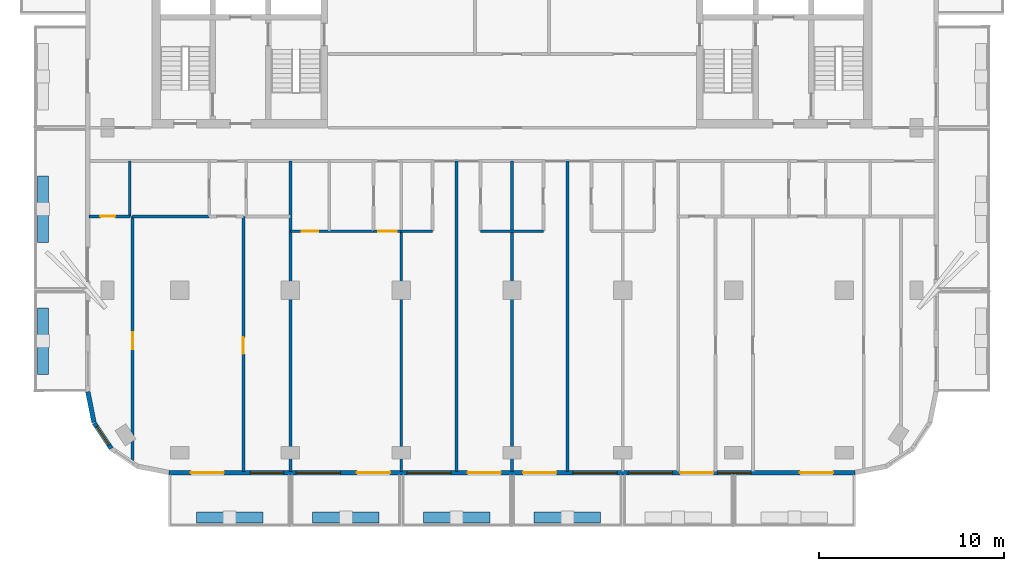
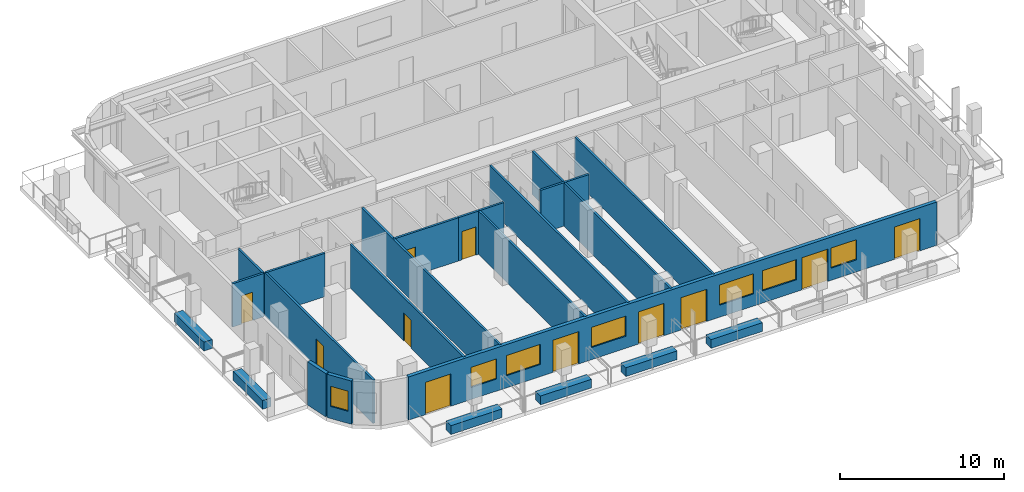
# One storey, part 2 of 11: 23 walls, 11 doors, 7 windows, 18 openings.
"""IFC4 building model written with IfcOpenShell, lengths in metres."""

from ifc_helpers import new_model, si_unit, direction, frame, frame_2d, origin, place, context, subcontext, project, spatial, rectangle, extrude, material, layer, layer_set, type_object, element, fill, save


model = new_model("IFC4")

# Units and contexts
model_context = context("Model", 3, precision=1e-05, world=origin(), true_north=direction((0.0, 1.0)))
body_context = subcontext(model_context, "Body", "Model", "MODEL_VIEW")
ifc_project = project(units=[si_unit("LENGTHUNIT", "METRE"), si_unit("AREAUNIT", "SQUARE_METRE"), si_unit("VOLUMEUNIT", "CUBIC_METRE"), si_unit("PLANEANGLEUNIT", "RADIAN"), si_unit("MASSUNIT", "GRAM", prefix="KILO")], contexts=[model_context])

# Site, building, storey
site_placement = place(None, origin())
site = spatial("IfcSite", under=ifc_project, at=site_placement, CompositionType="ELEMENT")
building_placement = place(site_placement, origin())
building = spatial("IfcBuilding", under=site, at=building_placement, Name="Torana Hotel and Residences", CompositionType="ELEMENT")
storey_placement = place(building_placement, frame((0.0, 0.0, 252.60009765625)))
storey = spatial("IfcBuildingStorey", under=building, at=storey_placement, Name="L66", CompositionType="ELEMENT", Elevation=252.60009765625)

# Wall
ifc_material_1 = material(Name="Black aluminium composite panel", Category="aluminium")
ifc_layer_1 = layer(ifc_material_1, 0.00390625, Name="Cladding", Category="cladding")
ifc_material_2 = material(Name="Ventilated air cavity")
ifc_layer_2 = layer(ifc_material_2, 0.0400390625, Name="Ventilated cavity", Category="cavity")
ifc_material_3 = material(Name="Mineral wool insulation")
ifc_layer_3 = layer(ifc_material_3, 0.090087890625, Name="Insulation", Category="insulation")
ifc_material_4 = material(Name="Steel S280GD", Category="steel")
ifc_layer_4 = layer(ifc_material_4, 0.092041015625, Name="Steel stud frame", Category="structure")
ifc_material_5 = material(Name="Fire rated plasterboard")
ifc_layer_5 = layer(ifc_material_5, 0.011962890625, Name="Inner board", Category="finish")
ifc_layer_6 = layer(ifc_material_5, 0.011962890625, Name="Second board", Category="finish")
ifc_layer_set_1 = layer_set([ifc_layer_1, ifc_layer_2, ifc_layer_3, ifc_layer_4, ifc_layer_5, ifc_layer_6], Name="EW1 EXTERNAL WALL BLACK METAL CLAD 250")
wall_type_1 = type_object("IfcWallType", Name="EW1 EXTERNAL WALL BLACK METAL CLAD 250", PredefinedType="SOLIDWALL", material=ifc_layer_set_1)
wall_1_placement = place(storey_placement, frame((-22.97265625, -29.2998046875, 0.0), z_axis=(0.0, 0.0, 1.0), x_axis=(0.19513878023, -0.980775640221, 0.0)))
element("IfcWall", 1, at=wall_1_placement, inside=storey, type_object=wall_type_1, Name="External wall L66 e0.10", PredefinedType="SOLIDWALL", context=body_context, shape_type="SweptSolid", body=[
    extrude(rectangle(XDim=1.681396484375, YDim=0.25, at=frame_2d((0.8408203125, 0.0))), origin(), (0.0, 0.0, 1.0), 3.219970703125),
])

# Wall, opening, window
wall_2_placement = place(storey_placement, frame((-22.6259765625, -30.993896484375, 0.0), z_axis=(0.0, 0.0, 1.0), x_axis=(0.55555029066, -0.831482937015, 0.0)))
wall_2 = element("IfcWall", 2, at=wall_2_placement, inside=storey, type_object=wall_type_1, Name="External wall L66 e0.11", PredefinedType="SOLIDWALL", context=body_context, shape_type="SweptSolid", body=[
    extrude(rectangle(XDim=1.65625, YDim=0.25, at=frame_2d((0.828125, 0.0))), origin(), (0.0, 0.0, 1.0), 3.219970703125),
])
opening_1_placement = place(wall_2_placement, frame((0.228271484375, 0.0, 0.89990234375)))
opening_1 = element("IfcOpeningElement", 3, at=opening_1_placement, cuts=wall_2, Name="Opening W5", PredefinedType="OPENING", context=body_context, shape_type="SweptSolid", body=[
    extrude(rectangle(XDim=1.199951171875, YDim=1.5, at=frame_2d((0.60009765625, 0.75))), frame((0.0, 0.135009765625, 0.0), z_axis=(0.0, -1.0, 0.0), x_axis=(1.0, 0.0, 0.0)), (0.0, 0.0, 1.0), 0.27001953125),
])
ifc_material_6 = material(Name="Dark glass in black aluminium frame", Category="aluminium")
window_type_1 = type_object("IfcWindowType", Name="W5 CORNER FACET WINDOW 1200x1500", PartitioningType="SINGLE_PANEL", PredefinedType="WINDOW", material=ifc_material_6)
window_1_placement = place(opening_1_placement, origin())
window_1 = element("IfcWindow", 4, at=window_1_placement, inside=storey, type_object=window_type_1, Name="Window L66 e0.11", OverallHeight=1.5, OverallWidth=1.199951171875, PartitioningType="SINGLE_PANEL", PredefinedType="WINDOW", context=body_context, shape_type="SweptSolid", body=[
    extrude(rectangle(XDim=1.199951171875, YDim=1.5, at=frame_2d((0.60009765625, 0.75))), frame((0.0, 0.030029296875, 0.0), z_axis=(0.0, -1.0, 0.0), x_axis=(1.0, 0.0, 0.0)), (0.0, 0.0, 1.0), 0.06005859375),
])
fill(opening_1, window_1)

# Wall, openings, doors, windows
wall_3_placement = place(storey_placement, frame((-18.575439453125, -33.675048828125, 0.0), z_axis=(0.0, 0.0, 1.0), x_axis=(1.0, 0.0, 0.0)))
wall_3 = element("IfcWall", 5, at=wall_3_placement, inside=storey, type_object=wall_type_1, Name="External wall L66 e0.14", PredefinedType="SOLIDWALL", context=body_context, shape_type="SweptSolid", body=[
    extrude(rectangle(XDim=37.15087890625, YDim=0.25, at=frame_2d((18.575439453125, 0.0))), origin(), (0.0, 0.0, 1.0), 3.219970703125),
])
opening_2_placement = place(wall_3_placement, frame((1.17529296875, 0.0, 0.0)))
opening_2 = element("IfcOpeningElement", 6, at=opening_2_placement, cuts=wall_3, Name="Opening L66-E01", PredefinedType="OPENING", context=body_context, shape_type="SweptSolid", body=[
    extrude(rectangle(XDim=1.800048828125, YDim=2.39990234375, at=frame_2d((0.89990234375, 1.199951171875))), frame((0.0, 0.135009765625, 0.0), z_axis=(0.0, -1.0, 0.0), x_axis=(1.0, 0.0, 0.0)), (0.0, 0.0, 1.0), 0.27001953125),
])
opening_3_placement = place(wall_3_placement, frame((4.400390625, 0.0, 0.89990234375)))
opening_3 = element("IfcOpeningElement", 7, at=opening_3_placement, cuts=wall_3, Name="Opening W4", PredefinedType="OPENING", context=body_context, shape_type="SweptSolid", body=[
    extrude(rectangle(XDim=1.800048828125, YDim=1.5, at=frame_2d((0.89990234375, 0.75))), frame((0.0, 0.135009765625, 0.0), z_axis=(0.0, -1.0, 0.0), x_axis=(1.0, 0.0, 0.0)), (0.0, 0.0, 1.0), 0.27001953125),
])
opening_4_placement = place(wall_3_placement, frame((6.87548828125, 0.0, 0.89990234375)))
opening_4 = element("IfcOpeningElement", 8, at=opening_4_placement, cuts=wall_3, Name="Opening W3", PredefinedType="OPENING", context=body_context, shape_type="SweptSolid", body=[
    extrude(rectangle(XDim=2.39990234375, YDim=1.5, at=frame_2d((1.199951171875, 0.75))), frame((0.0, 0.135009765625, 0.0), z_axis=(0.0, -1.0, 0.0), x_axis=(1.0, 0.0, 0.0)), (0.0, 0.0, 1.0), 0.27001953125),
])
opening_5_placement = place(wall_3_placement, frame((10.17529296875, 0.0, 0.0)))
opening_5 = element("IfcOpeningElement", 9, at=opening_5_placement, cuts=wall_3, Name="Opening L66-E02", PredefinedType="OPENING", context=body_context, shape_type="SweptSolid", body=[
    extrude(rectangle(XDim=1.800048828125, YDim=2.39990234375, at=frame_2d((0.89990234375, 1.199951171875))), frame((0.0, 0.135009765625, 0.0), z_axis=(0.0, -1.0, 0.0), x_axis=(1.0, 0.0, 0.0)), (0.0, 0.0, 1.0), 0.27001953125),
])
opening_6_placement = place(wall_3_placement, frame((12.87548828125, 0.0, 0.89990234375)))
opening_6 = element("IfcOpeningElement", 10, at=opening_6_placement, cuts=wall_3, Name="Opening W3", PredefinedType="OPENING", context=body_context, shape_type="SweptSolid", body=[
    extrude(rectangle(XDim=2.39990234375, YDim=1.5, at=frame_2d((1.199951171875, 0.75))), frame((0.0, 0.135009765625, 0.0), z_axis=(0.0, -1.0, 0.0), x_axis=(1.0, 0.0, 0.0)), (0.0, 0.0, 1.0), 0.27001953125),
])
opening_7_placement = place(wall_3_placement, frame((16.17529296875, 0.0, 0.0)))
opening_7 = element("IfcOpeningElement", 11, at=opening_7_placement, cuts=wall_3, Name="Opening L66-E03", PredefinedType="OPENING", context=body_context, shape_type="SweptSolid", body=[
    extrude(rectangle(XDim=1.800048828125, YDim=2.39990234375, at=frame_2d((0.89990234375, 1.199951171875))), frame((0.0, 0.135009765625, 0.0), z_axis=(0.0, -1.0, 0.0), x_axis=(1.0, 0.0, 0.0)), (0.0, 0.0, 1.0), 0.27001953125),
])
opening_8_placement = place(wall_3_placement, frame((19.17529296875, 0.0, 0.0)))
opening_8 = element("IfcOpeningElement", 12, at=opening_8_placement, cuts=wall_3, Name="Opening L66-E04", PredefinedType="OPENING", context=body_context, shape_type="SweptSolid", body=[
    extrude(rectangle(XDim=1.800048828125, YDim=2.39990234375, at=frame_2d((0.89990234375, 1.199951171875))), frame((0.0, 0.135009765625, 0.0), z_axis=(0.0, -1.0, 0.0), x_axis=(1.0, 0.0, 0.0)), (0.0, 0.0, 1.0), 0.27001953125),
])
opening_9_placement = place(wall_3_placement, frame((21.87548828125, 0.0, 0.89990234375)))
opening_9 = element("IfcOpeningElement", 13, at=opening_9_placement, cuts=wall_3, Name="Opening W3", PredefinedType="OPENING", context=body_context, shape_type="SweptSolid", body=[
    extrude(rectangle(XDim=2.39990234375, YDim=1.5, at=frame_2d((1.199951171875, 0.75))), frame((0.0, 0.135009765625, 0.0), z_axis=(0.0, -1.0, 0.0), x_axis=(1.0, 0.0, 0.0)), (0.0, 0.0, 1.0), 0.27001953125),
])
opening_10_placement = place(wall_3_placement, frame((24.87548828125, 0.0, 0.89990234375)))
opening_10 = element("IfcOpeningElement", 14, at=opening_10_placement, cuts=wall_3, Name="Opening W3", PredefinedType="OPENING", context=body_context, shape_type="SweptSolid", body=[
    extrude(rectangle(XDim=2.39990234375, YDim=1.5, at=frame_2d((1.199951171875, 0.75))), frame((0.0, 0.135009765625, 0.0), z_axis=(0.0, -1.0, 0.0), x_axis=(1.0, 0.0, 0.0)), (0.0, 0.0, 1.0), 0.27001953125),
])
opening_11_placement = place(wall_3_placement, frame((27.6875, 0.0, 0.0)))
opening_11 = element("IfcOpeningElement", 15, at=opening_11_placement, cuts=wall_3, Name="Opening L66-E05", PredefinedType="OPENING", context=body_context, shape_type="SweptSolid", body=[
    extrude(rectangle(XDim=1.800048828125, YDim=2.39990234375, at=frame_2d((0.89990234375, 1.199951171875))), frame((0.0, 0.135009765625, 0.0), z_axis=(0.0, -1.0, 0.0), x_axis=(1.0, 0.0, 0.0)), (0.0, 0.0, 1.0), 0.27001953125),
])
opening_12_placement = place(wall_3_placement, frame((29.71337890625, 0.0, 0.89990234375)))
opening_12 = element("IfcOpeningElement", 16, at=opening_12_placement, cuts=wall_3, Name="Opening W4", PredefinedType="OPENING", context=body_context, shape_type="SweptSolid", body=[
    extrude(rectangle(XDim=1.800048828125, YDim=1.5, at=frame_2d((0.89990234375, 0.75))), frame((0.0, 0.135009765625, 0.0), z_axis=(0.0, -1.0, 0.0), x_axis=(1.0, 0.0, 0.0)), (0.0, 0.0, 1.0), 0.27001953125),
])
opening_13_placement = place(wall_3_placement, frame((34.17529296875, 0.0, 0.0)))
opening_13 = element("IfcOpeningElement", 17, at=opening_13_placement, cuts=wall_3, Name="Opening L66-E06", PredefinedType="OPENING", context=body_context, shape_type="SweptSolid", body=[
    extrude(rectangle(XDim=1.800048828125, YDim=2.39990234375, at=frame_2d((0.89990234375, 1.199951171875))), frame((0.0, 0.135009765625, 0.0), z_axis=(0.0, -1.0, 0.0), x_axis=(1.0, 0.0, 0.0)), (0.0, 0.0, 1.0), 0.27001953125),
])
ifc_material_7 = material(Name="Dark glass in black aluminium frame", Category="aluminium")
door_type_1 = type_object("IfcDoorType", Name="DB1 BALCONY DOOR 1800x2400", OperationType="DOUBLE_DOOR_SINGLE_SWING", PredefinedType="DOOR", material=ifc_material_7)
door_1_placement = place(opening_2_placement, origin())
door_1 = element("IfcDoor", 18, at=door_1_placement, inside=storey, type_object=door_type_1, Name="Balcony door L66", OperationType="DOUBLE_DOOR_SINGLE_SWING", OverallHeight=2.39990234375, OverallWidth=1.800048828125, PredefinedType="DOOR", context=body_context, shape_type="SweptSolid", body=[
    extrude(rectangle(XDim=1.800048828125, YDim=2.39990234375, at=frame_2d((0.89990234375, 1.199951171875))), frame((0.0, 0.02490234375, 0.0), z_axis=(0.0, -1.0, 0.0), x_axis=(1.0, 0.0, 0.0)), (0.0, 0.0, 1.0), 0.050048828125),
])
fill(opening_2, door_1)
door_2_placement = place(opening_5_placement, origin())
door_2 = element("IfcDoor", 19, at=door_2_placement, inside=storey, type_object=door_type_1, Name="Balcony door L66", OperationType="DOUBLE_DOOR_SINGLE_SWING", OverallHeight=2.39990234375, OverallWidth=1.800048828125, PredefinedType="DOOR", context=body_context, shape_type="SweptSolid", body=[
    extrude(rectangle(XDim=1.800048828125, YDim=2.39990234375, at=frame_2d((0.89990234375, 1.199951171875))), frame((0.0, 0.02490234375, 0.0), z_axis=(0.0, -1.0, 0.0), x_axis=(1.0, 0.0, 0.0)), (0.0, 0.0, 1.0), 0.050048828125),
])
fill(opening_5, door_2)
door_3_placement = place(opening_7_placement, origin())
door_3 = element("IfcDoor", 20, at=door_3_placement, inside=storey, type_object=door_type_1, Name="Balcony door L66", OperationType="DOUBLE_DOOR_SINGLE_SWING", OverallHeight=2.39990234375, OverallWidth=1.800048828125, PredefinedType="DOOR", context=body_context, shape_type="SweptSolid", body=[
    extrude(rectangle(XDim=1.800048828125, YDim=2.39990234375, at=frame_2d((0.89990234375, 1.199951171875))), frame((0.0, 0.02490234375, 0.0), z_axis=(0.0, -1.0, 0.0), x_axis=(1.0, 0.0, 0.0)), (0.0, 0.0, 1.0), 0.050048828125),
])
fill(opening_7, door_3)
door_4_placement = place(opening_8_placement, origin())
door_4 = element("IfcDoor", 21, at=door_4_placement, inside=storey, type_object=door_type_1, Name="Balcony door L66", OperationType="DOUBLE_DOOR_SINGLE_SWING", OverallHeight=2.39990234375, OverallWidth=1.800048828125, PredefinedType="DOOR", context=body_context, shape_type="SweptSolid", body=[
    extrude(rectangle(XDim=1.800048828125, YDim=2.39990234375, at=frame_2d((0.89990234375, 1.199951171875))), frame((0.0, 0.02490234375, 0.0), z_axis=(0.0, -1.0, 0.0), x_axis=(1.0, 0.0, 0.0)), (0.0, 0.0, 1.0), 0.050048828125),
])
fill(opening_8, door_4)
door_5_placement = place(opening_11_placement, origin())
door_5 = element("IfcDoor", 22, at=door_5_placement, inside=storey, type_object=door_type_1, Name="Balcony door L66", OperationType="DOUBLE_DOOR_SINGLE_SWING", OverallHeight=2.39990234375, OverallWidth=1.800048828125, PredefinedType="DOOR", context=body_context, shape_type="SweptSolid", body=[
    extrude(rectangle(XDim=1.800048828125, YDim=2.39990234375, at=frame_2d((0.89990234375, 1.199951171875))), frame((0.0, 0.02490234375, 0.0), z_axis=(0.0, -1.0, 0.0), x_axis=(1.0, 0.0, 0.0)), (0.0, 0.0, 1.0), 0.050048828125),
])
fill(opening_11, door_5)
door_6_placement = place(opening_13_placement, origin())
door_6 = element("IfcDoor", 23, at=door_6_placement, inside=storey, type_object=door_type_1, Name="Balcony door L66", OperationType="DOUBLE_DOOR_SINGLE_SWING", OverallHeight=2.39990234375, OverallWidth=1.800048828125, PredefinedType="DOOR", context=body_context, shape_type="SweptSolid", body=[
    extrude(rectangle(XDim=1.800048828125, YDim=2.39990234375, at=frame_2d((0.89990234375, 1.199951171875))), frame((0.0, 0.02490234375, 0.0), z_axis=(0.0, -1.0, 0.0), x_axis=(1.0, 0.0, 0.0)), (0.0, 0.0, 1.0), 0.050048828125),
])
fill(opening_13, door_6)
ifc_material_8 = material(Name="Dark glass in black aluminium frame", Category="aluminium")
window_type_2 = type_object("IfcWindowType", Name="W3 RESIDENCE WINDOW 2400x1500", PartitioningType="SINGLE_PANEL", PredefinedType="WINDOW", material=ifc_material_8)
window_2_placement = place(opening_4_placement, origin())
window_2 = element("IfcWindow", 24, at=window_2_placement, inside=storey, type_object=window_type_2, Name="Window L66", OverallHeight=1.5, OverallWidth=2.39990234375, PartitioningType="SINGLE_PANEL", PredefinedType="WINDOW", context=body_context, shape_type="SweptSolid", body=[
    extrude(rectangle(XDim=2.39990234375, YDim=1.5, at=frame_2d((1.199951171875, 0.75))), frame((0.0, 0.030029296875, 0.0), z_axis=(0.0, -1.0, 0.0), x_axis=(1.0, 0.0, 0.0)), (0.0, 0.0, 1.0), 0.06005859375),
])
fill(opening_4, window_2)
window_3_placement = place(opening_6_placement, origin())
window_3 = element("IfcWindow", 25, at=window_3_placement, inside=storey, type_object=window_type_2, Name="Window L66", OverallHeight=1.5, OverallWidth=2.39990234375, PartitioningType="SINGLE_PANEL", PredefinedType="WINDOW", context=body_context, shape_type="SweptSolid", body=[
    extrude(rectangle(XDim=2.39990234375, YDim=1.5, at=frame_2d((1.199951171875, 0.75))), frame((0.0, 0.030029296875, 0.0), z_axis=(0.0, -1.0, 0.0), x_axis=(1.0, 0.0, 0.0)), (0.0, 0.0, 1.0), 0.06005859375),
])
fill(opening_6, window_3)
window_4_placement = place(opening_9_placement, origin())
window_4 = element("IfcWindow", 26, at=window_4_placement, inside=storey, type_object=window_type_2, Name="Window L66", OverallHeight=1.5, OverallWidth=2.39990234375, PartitioningType="SINGLE_PANEL", PredefinedType="WINDOW", context=body_context, shape_type="SweptSolid", body=[
    extrude(rectangle(XDim=2.39990234375, YDim=1.5, at=frame_2d((1.199951171875, 0.75))), frame((0.0, 0.030029296875, 0.0), z_axis=(0.0, -1.0, 0.0), x_axis=(1.0, 0.0, 0.0)), (0.0, 0.0, 1.0), 0.06005859375),
])
fill(opening_9, window_4)
window_5_placement = place(opening_10_placement, origin())
window_5 = element("IfcWindow", 27, at=window_5_placement, inside=storey, type_object=window_type_2, Name="Window L66", OverallHeight=1.5, OverallWidth=2.39990234375, PartitioningType="SINGLE_PANEL", PredefinedType="WINDOW", context=body_context, shape_type="SweptSolid", body=[
    extrude(rectangle(XDim=2.39990234375, YDim=1.5, at=frame_2d((1.199951171875, 0.75))), frame((0.0, 0.030029296875, 0.0), z_axis=(0.0, -1.0, 0.0), x_axis=(1.0, 0.0, 0.0)), (0.0, 0.0, 1.0), 0.06005859375),
])
fill(opening_10, window_5)
ifc_material_9 = material(Name="Dark glass in black aluminium frame", Category="aluminium")
window_type_3 = type_object("IfcWindowType", Name="W4 RESIDENCE WINDOW NARROW 1800x1500", PartitioningType="SINGLE_PANEL", PredefinedType="WINDOW", material=ifc_material_9)
window_6_placement = place(opening_3_placement, origin())
window_6 = element("IfcWindow", 28, at=window_6_placement, inside=storey, type_object=window_type_3, Name="Window L66", OverallHeight=1.5, OverallWidth=1.800048828125, PartitioningType="SINGLE_PANEL", PredefinedType="WINDOW", context=body_context, shape_type="SweptSolid", body=[
    extrude(rectangle(XDim=1.800048828125, YDim=1.5, at=frame_2d((0.89990234375, 0.75))), frame((0.0, 0.030029296875, 0.0), z_axis=(0.0, -1.0, 0.0), x_axis=(1.0, 0.0, 0.0)), (0.0, 0.0, 1.0), 0.06005859375),
])
fill(opening_3, window_6)
window_7_placement = place(opening_12_placement, origin())
window_7 = element("IfcWindow", 29, at=window_7_placement, inside=storey, type_object=window_type_3, Name="Window L66", OverallHeight=1.5, OverallWidth=1.800048828125, PartitioningType="SINGLE_PANEL", PredefinedType="WINDOW", context=body_context, shape_type="SweptSolid", body=[
    extrude(rectangle(XDim=1.800048828125, YDim=1.5, at=frame_2d((0.89990234375, 0.75))), frame((0.0, 0.030029296875, 0.0), z_axis=(0.0, -1.0, 0.0), x_axis=(1.0, 0.0, 0.0)), (0.0, 0.0, 1.0), 0.06005859375),
])
fill(opening_12, window_7)

# Wall, opening, door
ifc_material_10 = material(Name="Gypsum plaster")
ifc_layer_7 = layer(ifc_material_10, 0.014892578125, Name="Plaster", Category="finish")
ifc_material_11 = material(Name="Concrete blockwork", Category="masonry")
ifc_layer_8 = layer(ifc_material_11, 0.1201171875, Name="Blockwork", Category="structure")
ifc_layer_9 = layer(ifc_material_10, 0.014892578125, Name="Plaster", Category="finish")
ifc_layer_set_2 = layer_set([ifc_layer_7, ifc_layer_8, ifc_layer_9], Name="FIRE PARTITION 150 BLOCKWORK")
wall_type_2 = type_object("IfcWallType", Name="FIRE PARTITION 150 BLOCKWORK", PredefinedType="PARTITIONING", material=ifc_layer_set_2)
wall_4_placement = place(storey_placement, frame((-7.5, -20.60009765625, 0.0), z_axis=(0.0, 0.0, 1.0), x_axis=(1.0, 0.0, 0.0)))
wall_4 = element("IfcWall", 30, at=wall_4_placement, inside=storey, type_object=wall_type_2, Name="Partition L66", PredefinedType="PARTITIONING", context=body_context, shape_type="SweptSolid", body=[
    extrude(rectangle(XDim=1.5, YDim=0.14990234375, at=frame_2d((0.75, 0.0))), origin(), (0.0, 0.0, 1.0), 3.219970703125),
])
opening_14_placement = place(wall_4_placement, frame((0.25, 0.0, 0.0)))
opening_14 = element("IfcOpeningElement", 31, at=opening_14_placement, cuts=wall_4, Name="Opening L66-41", PredefinedType="OPENING", context=body_context, shape_type="SweptSolid", body=[
    extrude(rectangle(XDim=1.0, YDim=2.10009765625, at=frame_2d((0.5, 1.050048828125))), frame((0.0, 0.0849609375, 0.0), z_axis=(0.0, -1.0, 0.0), x_axis=(1.0, 0.0, 0.0)), (0.0, 0.0, 1.0), 0.169921875),
])
ifc_material_12 = material(Name="Steel S235", Category="steel")
door_type_2 = type_object("IfcDoorType", Name="ENTRY FIRE DOOR D6 1000x2100", OperationType="SINGLE_SWING_LEFT", PredefinedType="DOOR", material=ifc_material_12)
door_7_placement = place(opening_14_placement, frame((0.5, 0.0, 0.0), z_axis=(0.0, 0.0, 1.0), x_axis=(-1.0, 0.0, 0.0)))
door_7 = element("IfcDoor", 32, at=door_7_placement, inside=storey, type_object=door_type_2, Name="Door L66", OperationType="SINGLE_SWING_RIGHT", OverallHeight=2.10009765625, OverallWidth=1.0, PredefinedType="DOOR", context=body_context, shape_type="SweptSolid", body=[
    extrude(rectangle(XDim=1.0, YDim=2.10009765625, at=frame_2d((0.0, 1.050048828125))), frame((0.0, -0.02490234375, 0.0), z_axis=(0.0, 1.0, 0.0), x_axis=(-1.0, 0.0, 0.0)), (0.0, 0.0, 1.0), 0.050048828125),
])
fill(opening_14, door_7)

# Walls
ifc_material_13 = material(Name="Gypsum plasterboard")
ifc_layer_10 = layer(ifc_material_13, 0.012451171875, Name="Plasterboard", Category="finish")
ifc_layer_11 = layer(ifc_material_13, 0.012451171875, Name="Plasterboard", Category="finish")
ifc_layer_12 = layer(ifc_material_4, 0.10009765625, Name="Steel studs with mineral wool", Category="insulation")
ifc_layer_13 = layer(ifc_material_13, 0.012451171875, Name="Plasterboard", Category="finish")
ifc_layer_14 = layer(ifc_material_13, 0.012451171875, Name="Plasterboard", Category="finish")
ifc_layer_set_3 = layer_set([ifc_layer_10, ifc_layer_11, ifc_layer_12, ifc_layer_13, ifc_layer_14], Name="PARTITION 150 PLASTERBOARD")
wall_type_3 = type_object("IfcWallType", Name="PARTITION 150 PLASTERBOARD", PredefinedType="PARTITIONING", material=ifc_layer_set_3)
for number, where, z_axis, x_axis, name in (
    (33, (3.0, -33.6201171875, 0.0), (0.0, 0.0, 1.0), (0.0, 1.0, 0.0), "Partition L66"),
    (34, (0.0, -33.6201171875, 0.0), (0.0, 0.0, 1.0), (0.0, 1.0, 0.0), "Partition L66"),
    (35, (-3.0, -33.6201171875, 0.0), (0.0, 0.0, 1.0), (0.0, 1.0, 0.0), "Partition L66"),
):
    element("IfcWall", number, at=place(storey_placement, frame(where, z_axis=z_axis, x_axis=x_axis)), inside=storey, type_object=wall_type_3, Name=name, PredefinedType="PARTITIONING", context=body_context, shape_type="SweptSolid", body=[
        extrude(rectangle(XDim=16.820068359375, YDim=0.14990234375, at=frame_2d((8.41015625, 0.0))), origin(), (0.0, 0.0, 1.0), 3.219970703125),
    ])
wall_5_placement = place(storey_placement, frame((-6.0, -33.6201171875, 0.0), z_axis=(0.0, 0.0, 1.0), x_axis=(0.0, 1.0, 0.0)))
element("IfcWall", 36, at=wall_5_placement, inside=storey, type_object=wall_type_3, Name="Partition L66", PredefinedType="PARTITIONING", context=body_context, shape_type="SweptSolid", body=[
    extrude(rectangle(XDim=13.02001953125, YDim=0.14990234375, at=frame_2d((6.510009765625, 0.0))), origin(), (0.0, 0.0, 1.0), 3.219970703125),
])
wall_6_placement = place(storey_placement, frame((-12.0, -33.6201171875, 0.0), z_axis=(0.0, 0.0, 1.0), x_axis=(0.0, 1.0, 0.0)))
element("IfcWall", 37, at=wall_6_placement, inside=storey, type_object=wall_type_3, Name="Partition L66", PredefinedType="PARTITIONING", context=body_context, shape_type="SweptSolid", body=[
    extrude(rectangle(XDim=16.820068359375, YDim=0.14990234375, at=frame_2d((8.41015625, 0.0))), origin(), (0.0, 0.0, 1.0), 3.219970703125),
])

# Wall, opening, door
wall_7_placement = place(storey_placement, frame((-14.550048828125, -33.6201171875, 0.0), z_axis=(0.0, 0.0, 1.0), x_axis=(0.0, 1.0, 0.0)))
wall_7 = element("IfcWall", 38, at=wall_7_placement, inside=storey, type_object=wall_type_3, Name="Partition L66", PredefinedType="PARTITIONING", context=body_context, shape_type="SweptSolid", body=[
    extrude(rectangle(XDim=13.820068359375, YDim=0.14990234375, at=frame_2d((6.91015625, 0.0))), origin(), (0.0, 0.0, 1.0), 3.219970703125),
])
opening_15_placement = place(wall_7_placement, frame((6.3701171875, 0.0, 0.0)))
opening_15 = element("IfcOpeningElement", 39, at=opening_15_placement, cuts=wall_7, Name="Opening L66-51", PredefinedType="OPENING", context=body_context, shape_type="SweptSolid", body=[
    extrude(rectangle(XDim=0.89990234375, YDim=2.10009765625, at=frame_2d((0.449951171875, 1.050048828125))), frame((0.0, 0.0849609375, 0.0), z_axis=(0.0, -1.0, 0.0), x_axis=(1.0, 0.0, 0.0)), (0.0, 0.0, 1.0), 0.169921875),
])
ifc_material_14 = material(Name="Timber door, oiled ash", Category="wood")
door_type_3 = type_object("IfcDoorType", Name="ROOM DOOR D7 900x2100", OperationType="SINGLE_SWING_LEFT", PredefinedType="DOOR", material=ifc_material_14)
door_8_placement = place(opening_15_placement, origin())
door_8 = element("IfcDoor", 40, at=door_8_placement, inside=storey, type_object=door_type_3, Name="Door L66", OperationType="SINGLE_SWING_RIGHT", OverallHeight=2.10009765625, OverallWidth=0.89990234375, PredefinedType="DOOR", context=body_context, shape_type="SweptSolid", body=[
    extrude(rectangle(XDim=0.89990234375, YDim=2.10009765625, at=frame_2d((0.449951171875, 1.050048828125))), frame((0.0, 0.02490234375, 0.0), z_axis=(0.0, -1.0, 0.0), x_axis=(1.0, 0.0, 0.0)), (0.0, 0.0, 1.0), 0.050048828125),
])
fill(opening_15, door_8)

wall_8_placement = place(storey_placement, frame((-20.550048828125, -33.0166015625, 0.0), z_axis=(0.0, 0.0, 1.0), x_axis=(0.0, 1.0, 0.0)))
wall_8 = element("IfcWall", 41, at=wall_8_placement, inside=storey, type_object=wall_type_3, Name="Partition L66", PredefinedType="PARTITIONING", context=body_context, shape_type="SweptSolid", body=[
    extrude(rectangle(XDim=13.216552734375, YDim=0.14990234375, at=frame_2d((6.6083984375, 0.0))), origin(), (0.0, 0.0, 1.0), 3.219970703125),
])
opening_16_placement = place(wall_8_placement, frame((6.031494140625, 0.0, 0.0)))
opening_16 = element("IfcOpeningElement", 42, at=opening_16_placement, cuts=wall_8, Name="Opening L66-52", PredefinedType="OPENING", context=body_context, shape_type="SweptSolid", body=[
    extrude(rectangle(XDim=0.89990234375, YDim=2.10009765625, at=frame_2d((0.449951171875, 1.050048828125))), frame((0.0, 0.0849609375, 0.0), z_axis=(0.0, -1.0, 0.0), x_axis=(1.0, 0.0, 0.0)), (0.0, 0.0, 1.0), 0.169921875),
])
door_9_placement = place(opening_16_placement, origin())
door_9 = element("IfcDoor", 43, at=door_9_placement, inside=storey, type_object=door_type_3, Name="Door L66", OperationType="SINGLE_SWING_RIGHT", OverallHeight=2.10009765625, OverallWidth=0.89990234375, PredefinedType="DOOR", context=body_context, shape_type="SweptSolid", body=[
    extrude(rectangle(XDim=0.89990234375, YDim=2.10009765625, at=frame_2d((0.449951171875, 1.050048828125))), frame((0.0, 0.02490234375, 0.0), z_axis=(0.0, -1.0, 0.0), x_axis=(1.0, 0.0, 0.0)), (0.0, 0.0, 1.0), 0.050048828125),
])
fill(opening_16, door_9)

# Wall
wall_9_placement = place(storey_placement, frame((-20.699951171875, -19.800048828125, 0.0), z_axis=(0.0, 0.0, 1.0), x_axis=(0.0, 1.0, 0.0)))
element("IfcWall", 44, at=wall_9_placement, inside=storey, type_object=wall_type_3, Name="Partition L66", PredefinedType="PARTITIONING", context=body_context, shape_type="SweptSolid", body=[
    extrude(rectangle(XDim=3.0, YDim=0.14990234375, at=frame_2d((1.5, 0.0))), origin(), (0.0, 0.0, 1.0), 3.219970703125),
])

# Wall, opening, door
wall_10_placement = place(storey_placement, frame((-12.0, -20.60009765625, 0.0), z_axis=(0.0, 0.0, 1.0), x_axis=(1.0, 0.0, 0.0)))
wall_10 = element("IfcWall", 45, at=wall_10_placement, inside=storey, type_object=wall_type_3, Name="Partition L66", PredefinedType="PARTITIONING", context=body_context, shape_type="SweptSolid", body=[
    extrude(rectangle(XDim=4.5, YDim=0.14990234375, at=frame_2d((2.25, 0.0))), origin(), (0.0, 0.0, 1.0), 3.219970703125),
])
opening_17_placement = place(wall_10_placement, frame((0.60009765625, 0.0, 0.0)))
opening_17 = element("IfcOpeningElement", 46, at=opening_17_placement, cuts=wall_10, Name="Opening L66-39", PredefinedType="OPENING", context=body_context, shape_type="SweptSolid", body=[
    extrude(rectangle(XDim=0.89990234375, YDim=2.10009765625, at=frame_2d((0.449951171875, 1.050048828125))), frame((0.0, 0.0849609375, 0.0), z_axis=(0.0, -1.0, 0.0), x_axis=(1.0, 0.0, 0.0)), (0.0, 0.0, 1.0), 0.169921875),
])
door_10_placement = place(opening_17_placement, origin())
door_10 = element("IfcDoor", 47, at=door_10_placement, inside=storey, type_object=door_type_3, Name="Door L66", OperationType="SINGLE_SWING_RIGHT", OverallHeight=2.10009765625, OverallWidth=0.89990234375, PredefinedType="DOOR", context=body_context, shape_type="SweptSolid", body=[
    extrude(rectangle(XDim=0.89990234375, YDim=2.10009765625, at=frame_2d((0.449951171875, 1.050048828125))), frame((0.0, 0.02490234375, 0.0), z_axis=(0.0, -1.0, 0.0), x_axis=(1.0, 0.0, 0.0)), (0.0, 0.0, 1.0), 0.050048828125),
])
fill(opening_17, door_10)

# Walls
wall_11_placement = place(storey_placement, frame((-6.0, -20.60009765625, 0.0), z_axis=(0.0, 0.0, 1.0), x_axis=(1.0, 0.0, 0.0)))
element("IfcWall", 48, at=wall_11_placement, inside=storey, type_object=wall_type_3, Name="Partition L66", PredefinedType="PARTITIONING", context=body_context, shape_type="SweptSolid", body=[
    extrude(rectangle(XDim=1.699951171875, YDim=0.14990234375, at=frame_2d((0.85009765625, 0.0))), origin(), (0.0, 0.0, 1.0), 3.219970703125),
])
wall_12_placement = place(storey_placement, frame((-1.699951171875, -20.60009765625, 0.0), z_axis=(0.0, 0.0, 1.0), x_axis=(1.0, 0.0, 0.0)))
element("IfcWall", 49, at=wall_12_placement, inside=storey, type_object=wall_type_3, Name="Partition L66", PredefinedType="PARTITIONING", context=body_context, shape_type="SweptSolid", body=[
    extrude(rectangle(XDim=3.39990234375, YDim=0.14990234375, at=frame_2d((1.699951171875, 0.0))), origin(), (0.0, 0.0, 1.0), 3.219970703125),
])

# Wall, opening, door
wall_13_placement = place(storey_placement, frame((-22.919921875, -19.800048828125, 0.0), z_axis=(0.0, 0.0, 1.0), x_axis=(1.0, 0.0, 0.0)))
wall_13 = element("IfcWall", 50, at=wall_13_placement, inside=storey, type_object=wall_type_3, Name="Partition L66", PredefinedType="PARTITIONING", context=body_context, shape_type="SweptSolid", body=[
    extrude(rectangle(XDim=2.219970703125, YDim=0.14990234375, at=frame_2d((1.10986328125, 0.0))), origin(), (0.0, 0.0, 1.0), 3.219970703125),
])
opening_18_placement = place(wall_13_placement, frame((0.6201171875, 0.0, 0.0)))
opening_18 = element("IfcOpeningElement", 51, at=opening_18_placement, cuts=wall_13, Name="Opening L66-50", PredefinedType="OPENING", context=body_context, shape_type="SweptSolid", body=[
    extrude(rectangle(XDim=0.800048828125, YDim=2.10009765625, at=frame_2d((0.39990234375, 1.050048828125))), frame((0.0, 0.0849609375, 0.0), z_axis=(0.0, -1.0, 0.0), x_axis=(1.0, 0.0, 0.0)), (0.0, 0.0, 1.0), 0.169921875),
])
ifc_material_15 = material(Name="Timber door, painted", Category="wood")
door_type_4 = type_object("IfcDoorType", Name="BATH DOOR D13 800x2100", OperationType="SINGLE_SWING_LEFT", PredefinedType="DOOR", material=ifc_material_15)
door_11_placement = place(opening_18_placement, origin())
door_11 = element("IfcDoor", 52, at=door_11_placement, inside=storey, type_object=door_type_4, Name="Door L66", OperationType="SINGLE_SWING_RIGHT", OverallHeight=2.10009765625, OverallWidth=0.800048828125, PredefinedType="DOOR", context=body_context, shape_type="SweptSolid", body=[
    extrude(rectangle(XDim=0.800048828125, YDim=2.10009765625, at=frame_2d((0.39990234375, 1.050048828125))), frame((0.0, 0.02490234375, 0.0), z_axis=(0.0, -1.0, 0.0), x_axis=(1.0, 0.0, 0.0)), (0.0, 0.0, 1.0), 0.050048828125),
])
fill(opening_18, door_11)

# Walls
wall_14_placement = place(storey_placement, frame((-20.550048828125, -19.800048828125, 0.0), z_axis=(0.0, 0.0, 1.0), x_axis=(1.0, 0.0, 0.0)))
element("IfcWall", 53, at=wall_14_placement, inside=storey, type_object=wall_type_3, Name="Partition L66", PredefinedType="PARTITIONING", context=body_context, shape_type="SweptSolid", body=[
    extrude(rectangle(XDim=4.150146484375, YDim=0.14990234375, at=frame_2d((2.0751953125, 0.0))), origin(), (0.0, 0.0, 1.0), 3.219970703125),
])
ifc_material_16 = material(Name="Concrete C40/50 precast", Category="concrete")
ifc_layer_15 = layer(ifc_material_16, 0.10009765625, Name="Planter shell", Category="structure")
ifc_material_17 = material(Name="Root resistant membrane")
ifc_layer_16 = layer(ifc_material_17, 0.00390625, Name="Waterproofing membrane", Category="membrane")
ifc_material_18 = material(Name="Drainage board with filter fleece")
ifc_layer_17 = layer(ifc_material_18, 0.02001953125, Name="Drainage board", Category="drainage")
ifc_material_19 = material(Name="Growing medium")
ifc_layer_18 = layer(ifc_material_19, 0.47607421875, Name="Planting substrate", Category="soil")
ifc_layer_set_4 = layer_set([ifc_layer_15, ifc_layer_16, ifc_layer_17, ifc_layer_18], Name="PL1 BALCONY PLANTER 600")
wall_type_4 = type_object("IfcWallType", Name="PL1 BALCONY PLANTER 600", PredefinedType="USERDEFINED", material=ifc_layer_set_4)
for number, where, z_axis, x_axis, name in (
    (54, (-13.5, -36.10009765625, 0.0), (0.0, 0.0, 1.0), (-1.0, 0.0, 0.0), "Planter 01"),
    (55, (-7.199951171875, -36.10009765625, 0.0), (0.0, 0.0, 1.0), (-1.0, 0.0, 0.0), "Planter 02"),
    (56, (-1.199951171875, -36.10009765625, 0.0), (0.0, 0.0, 1.0), (-1.0, 0.0, 0.0), "Planter 03"),
    (57, (4.800048828125, -36.10009765625, 0.0), (0.0, 0.0, 1.0), (-1.0, 0.0, 0.0), "Planter 04"),
    (58, (-25.39990234375, -28.35009765625, 0.0), (0.0, 0.0, 1.0), (0.0, 1.0, 0.0), "Planter 07"),
):
    element("IfcWall", number, at=place(storey_placement, frame(where, z_axis=z_axis, x_axis=x_axis)), inside=storey, type_object=wall_type_4, Name=name, ObjectType="PLANTER", PredefinedType="USERDEFINED", context=body_context, shape_type="SweptSolid", body=[
        extrude(rectangle(XDim=3.60009765625, YDim=0.60009765625, at=frame_2d((1.800048828125, 0.0))), origin(), (0.0, 0.0, 1.0), 0.64990234375),
    ])
wall_15_placement = place(storey_placement, frame((-25.39990234375, -21.199951171875, 0.0), z_axis=(0.0, 0.0, 1.0), x_axis=(0.0, 1.0, 0.0)))
element("IfcWall", 59, at=wall_15_placement, inside=storey, type_object=wall_type_4, Name="Planter 08", ObjectType="PLANTER", PredefinedType="USERDEFINED", context=body_context, shape_type="SweptSolid", body=[
    extrude(rectangle(XDim=3.599853515625, YDim=0.60009765625, at=frame_2d((1.7998046875, 0.0))), origin(), (0.0, 0.0, 1.0), 0.64990234375),
])

save(model, "model.ifc")
